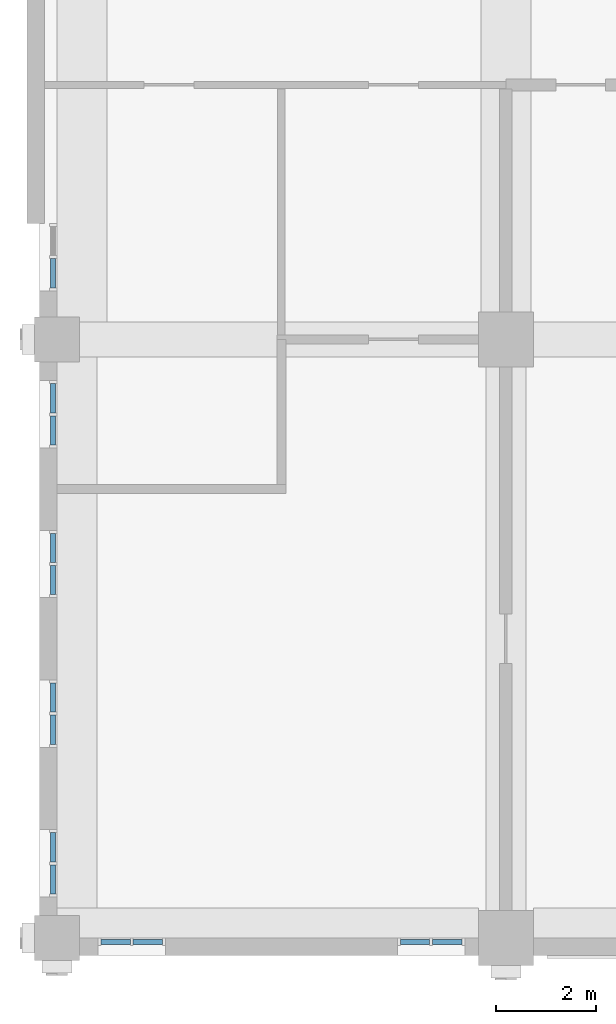
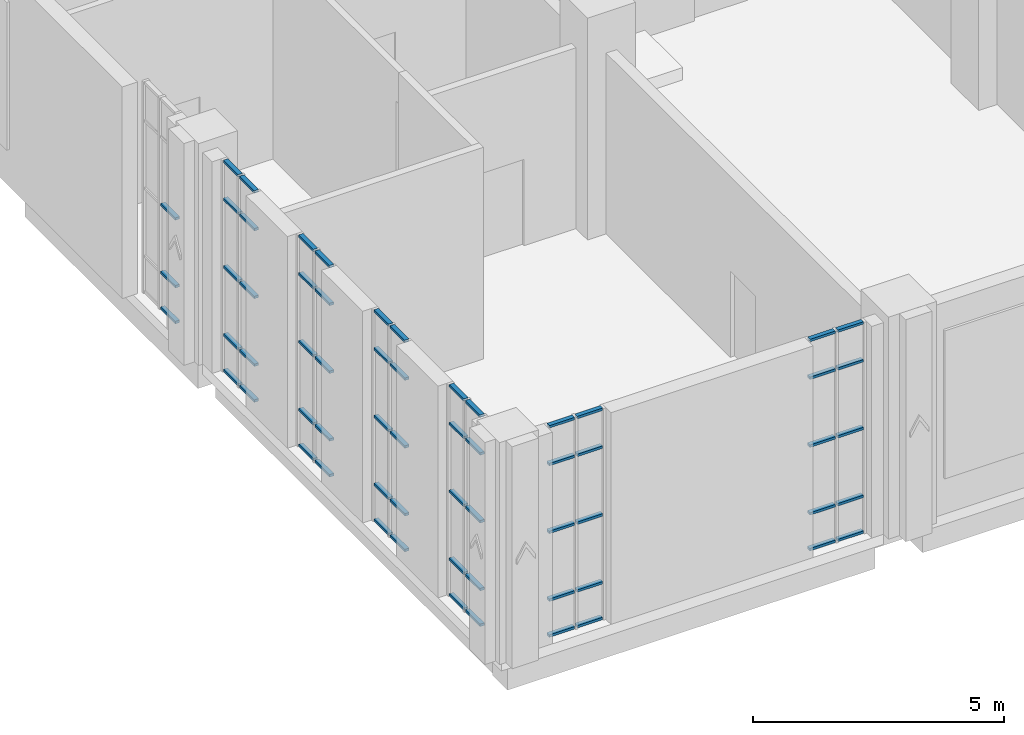
# One storey, part 13 of 39: 63 members, 7 elements without a shape of their own.
"""IFC4 building model written with IfcOpenShell, lengths in metres."""

from ifc_helpers import new_model, si_unit, direction, frame, origin, origin_2d, place, context, subcontext, project, spatial, rectangle, extrude, material, layer, layer_set, material_profile, profile_set, type_object, element, aggregate, save


model = new_model("IFC4")

# Units and contexts
model_context = context("Model", 3, precision=1e-05, world=origin(), true_north=direction((0.0, 1.0)))
body_context = subcontext(model_context, "Body", "Model", "MODEL_VIEW")
ifc_project = project(units=[si_unit("LENGTHUNIT", "METRE"), si_unit("AREAUNIT", "SQUARE_METRE"), si_unit("VOLUMEUNIT", "CUBIC_METRE"), si_unit("PLANEANGLEUNIT", "RADIAN"), si_unit("MASSUNIT", "GRAM", prefix="KILO")], contexts=[model_context])

# Site, building, storey
site_placement = place(None, origin())
site = spatial("IfcSite", under=ifc_project, at=site_placement, CompositionType="ELEMENT")
building_placement = place(site_placement, origin())
building = spatial("IfcBuilding", under=site, at=building_placement, Name="Aurelan Courthouse", CompositionType="ELEMENT")
storey_placement = place(building_placement, frame((0.0, 0.0, 28.199951171875)))
storey = spatial("IfcBuildingStorey", under=building, at=storey_placement, Name="L05", CompositionType="ELEMENT", Elevation=28.199951171875)

# Curtain wall, members
ifc_material_1 = material(Name="Bronze-finished aluminium and glass", Category="aluminium")
ifc_layer = layer(ifc_material_1, 0.14990234375)
ifc_layer_set = layer_set([ifc_layer], Name="Bronze-finished aluminium and glass")
curtain_wall_type = type_object("IfcCurtainWallType", Name="Curtain wall 1350 x 5150", PredefinedType="NOTDEFINED", material=ifc_layer_set)
curtain_wall_1_placement = place(storey_placement, origin())
curtain_wall_1 = element("IfcCurtainWall", 1, at=curtain_wall_1_placement, inside=storey, type_object=curtain_wall_type, Name="Curtain wall CW-V5-L05-S01", PredefinedType="NOTDEFINED")
ifc_material_2 = material(Name="Bronze-finished aluminium", Category="aluminium")
ifc_material_profile = material_profile(ifc_material_2, rectangle(XDim=0.10009765625, YDim=0.06005859375, at=origin_2d()), Name="Bronze transom 60 x 100")
ifc_profile_set = profile_set([ifc_material_profile], Name="Bronze-finished aluminium")
member_type = type_object("IfcMemberType", Name="Curtain wall transom 60 x 100", PredefinedType="USERDEFINED", material=ifc_profile_set)
member_1_placement = place(storey_placement, frame((0.885009765625, -0.074951171875, 0.030029296875), z_axis=(1.0, 0.0, 0.0), x_axis=(0.0, 1.0, 0.0)))
member_1 = element("IfcMember", 2, at=member_1_placement, type_object=member_type, Name="CW-V5-L05-S01 transom 1.1", ObjectType="TRANSOM", PredefinedType="USERDEFINED", context=body_context, shape_type="SweptSolid", body=[
    extrude(rectangle(XDim=0.10009765625, YDim=0.06005859375, at=origin_2d()), origin(), (0.0, 0.0, 1.0), 0.5849609375),
])
member_2_placement = place(storey_placement, frame((0.885009765625, -0.074951171875, 0.900146484375), z_axis=(1.0, 0.0, 0.0), x_axis=(0.0, 1.0, 0.0)))
member_2 = element("IfcMember", 3, at=member_2_placement, type_object=member_type, Name="CW-V5-L05-S01 transom 1.2", ObjectType="TRANSOM", PredefinedType="USERDEFINED", context=body_context, shape_type="SweptSolid", body=[
    extrude(rectangle(XDim=0.10009765625, YDim=0.06005859375, at=origin_2d()), origin(), (0.0, 0.0, 1.0), 0.5849609375),
])
member_3_placement = place(storey_placement, frame((0.885009765625, -0.074951171875, 2.550048828125), z_axis=(1.0, 0.0, 0.0), x_axis=(0.0, 1.0, 0.0)))
member_3 = element("IfcMember", 4, at=member_3_placement, type_object=member_type, Name="CW-V5-L05-S01 transom 1.3", ObjectType="TRANSOM", PredefinedType="USERDEFINED", context=body_context, shape_type="SweptSolid", body=[
    extrude(rectangle(XDim=0.10009765625, YDim=0.06005859375, at=origin_2d()), origin(), (0.0, 0.0, 1.0), 0.5849609375),
])
member_4_placement = place(storey_placement, frame((0.885009765625, -0.074951171875, 4.199951171875), z_axis=(1.0, 0.0, 0.0), x_axis=(0.0, 1.0, 0.0)))
member_4 = element("IfcMember", 5, at=member_4_placement, type_object=member_type, Name="CW-V5-L05-S01 transom 1.4", ObjectType="TRANSOM", PredefinedType="USERDEFINED", context=body_context, shape_type="SweptSolid", body=[
    extrude(rectangle(XDim=0.10009765625, YDim=0.06005859375, at=origin_2d()), origin(), (0.0, 0.0, 1.0), 0.5849609375),
])
member_5_placement = place(storey_placement, frame((0.885009765625, -0.074951171875, 5.1201171875), z_axis=(1.0, 0.0, 0.0), x_axis=(0.0, 1.0, 0.0)))
member_5 = element("IfcMember", 6, at=member_5_placement, type_object=member_type, Name="CW-V5-L05-S01 transom 1.5", ObjectType="TRANSOM", PredefinedType="USERDEFINED", context=body_context, shape_type="SweptSolid", body=[
    extrude(rectangle(XDim=0.10009765625, YDim=0.06005859375, at=origin_2d()), origin(), (0.0, 0.0, 1.0), 0.5849609375),
])
member_6_placement = place(storey_placement, frame((1.530029296875, -0.074951171875, 0.030029296875), z_axis=(1.0, 0.0, 0.0), x_axis=(0.0, 1.0, 0.0)))
member_6 = element("IfcMember", 7, at=member_6_placement, type_object=member_type, Name="CW-V5-L05-S01 transom 2.1", ObjectType="TRANSOM", PredefinedType="USERDEFINED", context=body_context, shape_type="SweptSolid", body=[
    extrude(rectangle(XDim=0.10009765625, YDim=0.06005859375, at=origin_2d()), origin(), (0.0, 0.0, 1.0), 0.5849609375),
])
member_7_placement = place(storey_placement, frame((1.530029296875, -0.074951171875, 0.900146484375), z_axis=(1.0, 0.0, 0.0), x_axis=(0.0, 1.0, 0.0)))
member_7 = element("IfcMember", 8, at=member_7_placement, type_object=member_type, Name="CW-V5-L05-S01 transom 2.2", ObjectType="TRANSOM", PredefinedType="USERDEFINED", context=body_context, shape_type="SweptSolid", body=[
    extrude(rectangle(XDim=0.10009765625, YDim=0.06005859375, at=origin_2d()), origin(), (0.0, 0.0, 1.0), 0.5849609375),
])
member_8_placement = place(storey_placement, frame((1.530029296875, -0.074951171875, 2.550048828125), z_axis=(1.0, 0.0, 0.0), x_axis=(0.0, 1.0, 0.0)))
member_8 = element("IfcMember", 9, at=member_8_placement, type_object=member_type, Name="CW-V5-L05-S01 transom 2.3", ObjectType="TRANSOM", PredefinedType="USERDEFINED", context=body_context, shape_type="SweptSolid", body=[
    extrude(rectangle(XDim=0.10009765625, YDim=0.06005859375, at=origin_2d()), origin(), (0.0, 0.0, 1.0), 0.5849609375),
])
member_9_placement = place(storey_placement, frame((1.530029296875, -0.074951171875, 4.199951171875), z_axis=(1.0, 0.0, 0.0), x_axis=(0.0, 1.0, 0.0)))
member_9 = element("IfcMember", 10, at=member_9_placement, type_object=member_type, Name="CW-V5-L05-S01 transom 2.4", ObjectType="TRANSOM", PredefinedType="USERDEFINED", context=body_context, shape_type="SweptSolid", body=[
    extrude(rectangle(XDim=0.10009765625, YDim=0.06005859375, at=origin_2d()), origin(), (0.0, 0.0, 1.0), 0.5849609375),
])
member_10_placement = place(storey_placement, frame((1.530029296875, -0.074951171875, 5.1201171875), z_axis=(1.0, 0.0, 0.0), x_axis=(0.0, 1.0, 0.0)))
member_10 = element("IfcMember", 11, at=member_10_placement, type_object=member_type, Name="CW-V5-L05-S01 transom 2.5", ObjectType="TRANSOM", PredefinedType="USERDEFINED", context=body_context, shape_type="SweptSolid", body=[
    extrude(rectangle(XDim=0.10009765625, YDim=0.06005859375, at=origin_2d()), origin(), (0.0, 0.0, 1.0), 0.5849609375),
])
aggregate(curtain_wall_1, [member_1, member_2, member_3, member_4, member_5, member_6, member_7, member_8, member_9, member_10])

curtain_wall_2_placement = place(storey_placement, origin())
curtain_wall_2 = element("IfcCurtainWall", 12, at=curtain_wall_2_placement, inside=storey, type_object=curtain_wall_type, Name="Curtain wall CW-V5-L05-S02", PredefinedType="NOTDEFINED")
member_11_placement = place(storey_placement, frame((6.885009765625, -0.074951171875, 0.030029296875), z_axis=(1.0, 0.0, 0.0), x_axis=(0.0, 1.0, 0.0)))
member_11 = element("IfcMember", 13, at=member_11_placement, type_object=member_type, Name="CW-V5-L05-S02 transom 1.1", ObjectType="TRANSOM", PredefinedType="USERDEFINED", context=body_context, shape_type="SweptSolid", body=[
    extrude(rectangle(XDim=0.10009765625, YDim=0.06005859375, at=origin_2d()), origin(), (0.0, 0.0, 1.0), 0.5849609375),
])
member_12_placement = place(storey_placement, frame((6.885009765625, -0.074951171875, 0.900146484375), z_axis=(1.0, 0.0, 0.0), x_axis=(0.0, 1.0, 0.0)))
member_12 = element("IfcMember", 14, at=member_12_placement, type_object=member_type, Name="CW-V5-L05-S02 transom 1.2", ObjectType="TRANSOM", PredefinedType="USERDEFINED", context=body_context, shape_type="SweptSolid", body=[
    extrude(rectangle(XDim=0.10009765625, YDim=0.06005859375, at=origin_2d()), origin(), (0.0, 0.0, 1.0), 0.5849609375),
])
member_13_placement = place(storey_placement, frame((6.885009765625, -0.074951171875, 2.550048828125), z_axis=(1.0, 0.0, 0.0), x_axis=(0.0, 1.0, 0.0)))
member_13 = element("IfcMember", 15, at=member_13_placement, type_object=member_type, Name="CW-V5-L05-S02 transom 1.3", ObjectType="TRANSOM", PredefinedType="USERDEFINED", context=body_context, shape_type="SweptSolid", body=[
    extrude(rectangle(XDim=0.10009765625, YDim=0.06005859375, at=origin_2d()), origin(), (0.0, 0.0, 1.0), 0.5849609375),
])
member_14_placement = place(storey_placement, frame((6.885009765625, -0.074951171875, 4.199951171875), z_axis=(1.0, 0.0, 0.0), x_axis=(0.0, 1.0, 0.0)))
member_14 = element("IfcMember", 16, at=member_14_placement, type_object=member_type, Name="CW-V5-L05-S02 transom 1.4", ObjectType="TRANSOM", PredefinedType="USERDEFINED", context=body_context, shape_type="SweptSolid", body=[
    extrude(rectangle(XDim=0.10009765625, YDim=0.06005859375, at=origin_2d()), origin(), (0.0, 0.0, 1.0), 0.5849609375),
])
member_15_placement = place(storey_placement, frame((6.885009765625, -0.074951171875, 5.1201171875), z_axis=(1.0, 0.0, 0.0), x_axis=(0.0, 1.0, 0.0)))
member_15 = element("IfcMember", 17, at=member_15_placement, type_object=member_type, Name="CW-V5-L05-S02 transom 1.5", ObjectType="TRANSOM", PredefinedType="USERDEFINED", context=body_context, shape_type="SweptSolid", body=[
    extrude(rectangle(XDim=0.10009765625, YDim=0.06005859375, at=origin_2d()), origin(), (0.0, 0.0, 1.0), 0.5849609375),
])
member_16_placement = place(storey_placement, frame((7.530029296875, -0.074951171875, 0.030029296875), z_axis=(1.0, 0.0, 0.0), x_axis=(0.0, 1.0, 0.0)))
member_16 = element("IfcMember", 18, at=member_16_placement, type_object=member_type, Name="CW-V5-L05-S02 transom 2.1", ObjectType="TRANSOM", PredefinedType="USERDEFINED", context=body_context, shape_type="SweptSolid", body=[
    extrude(rectangle(XDim=0.10009765625, YDim=0.06005859375, at=origin_2d()), origin(), (0.0, 0.0, 1.0), 0.5849609375),
])
member_17_placement = place(storey_placement, frame((7.530029296875, -0.074951171875, 0.900146484375), z_axis=(1.0, 0.0, 0.0), x_axis=(0.0, 1.0, 0.0)))
member_17 = element("IfcMember", 19, at=member_17_placement, type_object=member_type, Name="CW-V5-L05-S02 transom 2.2", ObjectType="TRANSOM", PredefinedType="USERDEFINED", context=body_context, shape_type="SweptSolid", body=[
    extrude(rectangle(XDim=0.10009765625, YDim=0.06005859375, at=origin_2d()), origin(), (0.0, 0.0, 1.0), 0.5849609375),
])
member_18_placement = place(storey_placement, frame((7.530029296875, -0.074951171875, 2.550048828125), z_axis=(1.0, 0.0, 0.0), x_axis=(0.0, 1.0, 0.0)))
member_18 = element("IfcMember", 20, at=member_18_placement, type_object=member_type, Name="CW-V5-L05-S02 transom 2.3", ObjectType="TRANSOM", PredefinedType="USERDEFINED", context=body_context, shape_type="SweptSolid", body=[
    extrude(rectangle(XDim=0.10009765625, YDim=0.06005859375, at=origin_2d()), origin(), (0.0, 0.0, 1.0), 0.5849609375),
])
member_19_placement = place(storey_placement, frame((7.530029296875, -0.074951171875, 4.199951171875), z_axis=(1.0, 0.0, 0.0), x_axis=(0.0, 1.0, 0.0)))
member_19 = element("IfcMember", 21, at=member_19_placement, type_object=member_type, Name="CW-V5-L05-S02 transom 2.4", ObjectType="TRANSOM", PredefinedType="USERDEFINED", context=body_context, shape_type="SweptSolid", body=[
    extrude(rectangle(XDim=0.10009765625, YDim=0.06005859375, at=origin_2d()), origin(), (0.0, 0.0, 1.0), 0.5849609375),
])
member_20_placement = place(storey_placement, frame((7.530029296875, -0.074951171875, 5.1201171875), z_axis=(1.0, 0.0, 0.0), x_axis=(0.0, 1.0, 0.0)))
member_20 = element("IfcMember", 22, at=member_20_placement, type_object=member_type, Name="CW-V5-L05-S02 transom 2.5", ObjectType="TRANSOM", PredefinedType="USERDEFINED", context=body_context, shape_type="SweptSolid", body=[
    extrude(rectangle(XDim=0.10009765625, YDim=0.06005859375, at=origin_2d()), origin(), (0.0, 0.0, 1.0), 0.5849609375),
])
aggregate(curtain_wall_2, [member_11, member_12, member_13, member_14, member_15, member_16, member_17, member_18, member_19, member_20])

curtain_wall_3_placement = place(storey_placement, origin())
curtain_wall_3 = element("IfcCurtainWall", 23, at=curtain_wall_3_placement, inside=storey, type_object=curtain_wall_type, Name="Curtain wall CW-V5-L05-W01", PredefinedType="NOTDEFINED")
member_21_placement = place(storey_placement, frame((-0.074951171875, 0.885009765625, 0.030029296875), z_axis=(0.0, 1.0, 0.0), x_axis=(-1.0, 0.0, 0.0)))
member_21 = element("IfcMember", 24, at=member_21_placement, type_object=member_type, Name="CW-V5-L05-W01 transom 1.1", ObjectType="TRANSOM", PredefinedType="USERDEFINED", context=body_context, shape_type="SweptSolid", body=[
    extrude(rectangle(XDim=0.10009765625, YDim=0.06005859375, at=origin_2d()), origin(), (0.0, 0.0, 1.0), 0.5849609375),
])
member_22_placement = place(storey_placement, frame((-0.074951171875, 0.885009765625, 0.900146484375), z_axis=(0.0, 1.0, 0.0), x_axis=(-1.0, 0.0, 0.0)))
member_22 = element("IfcMember", 25, at=member_22_placement, type_object=member_type, Name="CW-V5-L05-W01 transom 1.2", ObjectType="TRANSOM", PredefinedType="USERDEFINED", context=body_context, shape_type="SweptSolid", body=[
    extrude(rectangle(XDim=0.10009765625, YDim=0.06005859375, at=origin_2d()), origin(), (0.0, 0.0, 1.0), 0.5849609375),
])
member_23_placement = place(storey_placement, frame((-0.074951171875, 0.885009765625, 2.550048828125), z_axis=(0.0, 1.0, 0.0), x_axis=(-1.0, 0.0, 0.0)))
member_23 = element("IfcMember", 26, at=member_23_placement, type_object=member_type, Name="CW-V5-L05-W01 transom 1.3", ObjectType="TRANSOM", PredefinedType="USERDEFINED", context=body_context, shape_type="SweptSolid", body=[
    extrude(rectangle(XDim=0.10009765625, YDim=0.06005859375, at=origin_2d()), origin(), (0.0, 0.0, 1.0), 0.5849609375),
])
member_24_placement = place(storey_placement, frame((-0.074951171875, 0.885009765625, 4.199951171875), z_axis=(0.0, 1.0, 0.0), x_axis=(-1.0, 0.0, 0.0)))
member_24 = element("IfcMember", 27, at=member_24_placement, type_object=member_type, Name="CW-V5-L05-W01 transom 1.4", ObjectType="TRANSOM", PredefinedType="USERDEFINED", context=body_context, shape_type="SweptSolid", body=[
    extrude(rectangle(XDim=0.10009765625, YDim=0.06005859375, at=origin_2d()), origin(), (0.0, 0.0, 1.0), 0.5849609375),
])
member_25_placement = place(storey_placement, frame((-0.074951171875, 0.885009765625, 5.1201171875), z_axis=(0.0, 1.0, 0.0), x_axis=(-1.0, 0.0, 0.0)))
member_25 = element("IfcMember", 28, at=member_25_placement, type_object=member_type, Name="CW-V5-L05-W01 transom 1.5", ObjectType="TRANSOM", PredefinedType="USERDEFINED", context=body_context, shape_type="SweptSolid", body=[
    extrude(rectangle(XDim=0.10009765625, YDim=0.06005859375, at=origin_2d()), origin(), (0.0, 0.0, 1.0), 0.5849609375),
])
member_26_placement = place(storey_placement, frame((-0.074951171875, 1.530029296875, 0.030029296875), z_axis=(0.0, 1.0, 0.0), x_axis=(-1.0, 0.0, 0.0)))
member_26 = element("IfcMember", 29, at=member_26_placement, type_object=member_type, Name="CW-V5-L05-W01 transom 2.1", ObjectType="TRANSOM", PredefinedType="USERDEFINED", context=body_context, shape_type="SweptSolid", body=[
    extrude(rectangle(XDim=0.10009765625, YDim=0.06005859375, at=origin_2d()), origin(), (0.0, 0.0, 1.0), 0.5849609375),
])
member_27_placement = place(storey_placement, frame((-0.074951171875, 1.530029296875, 0.900146484375), z_axis=(0.0, 1.0, 0.0), x_axis=(-1.0, 0.0, 0.0)))
member_27 = element("IfcMember", 30, at=member_27_placement, type_object=member_type, Name="CW-V5-L05-W01 transom 2.2", ObjectType="TRANSOM", PredefinedType="USERDEFINED", context=body_context, shape_type="SweptSolid", body=[
    extrude(rectangle(XDim=0.10009765625, YDim=0.06005859375, at=origin_2d()), origin(), (0.0, 0.0, 1.0), 0.5849609375),
])
member_28_placement = place(storey_placement, frame((-0.074951171875, 1.530029296875, 2.550048828125), z_axis=(0.0, 1.0, 0.0), x_axis=(-1.0, 0.0, 0.0)))
member_28 = element("IfcMember", 31, at=member_28_placement, type_object=member_type, Name="CW-V5-L05-W01 transom 2.3", ObjectType="TRANSOM", PredefinedType="USERDEFINED", context=body_context, shape_type="SweptSolid", body=[
    extrude(rectangle(XDim=0.10009765625, YDim=0.06005859375, at=origin_2d()), origin(), (0.0, 0.0, 1.0), 0.5849609375),
])
member_29_placement = place(storey_placement, frame((-0.074951171875, 1.530029296875, 4.199951171875), z_axis=(0.0, 1.0, 0.0), x_axis=(-1.0, 0.0, 0.0)))
member_29 = element("IfcMember", 32, at=member_29_placement, type_object=member_type, Name="CW-V5-L05-W01 transom 2.4", ObjectType="TRANSOM", PredefinedType="USERDEFINED", context=body_context, shape_type="SweptSolid", body=[
    extrude(rectangle(XDim=0.10009765625, YDim=0.06005859375, at=origin_2d()), origin(), (0.0, 0.0, 1.0), 0.5849609375),
])
member_30_placement = place(storey_placement, frame((-0.074951171875, 1.530029296875, 5.1201171875), z_axis=(0.0, 1.0, 0.0), x_axis=(-1.0, 0.0, 0.0)))
member_30 = element("IfcMember", 33, at=member_30_placement, type_object=member_type, Name="CW-V5-L05-W01 transom 2.5", ObjectType="TRANSOM", PredefinedType="USERDEFINED", context=body_context, shape_type="SweptSolid", body=[
    extrude(rectangle(XDim=0.10009765625, YDim=0.06005859375, at=origin_2d()), origin(), (0.0, 0.0, 1.0), 0.5849609375),
])
aggregate(curtain_wall_3, [member_21, member_22, member_23, member_24, member_25, member_26, member_27, member_28, member_29, member_30])

curtain_wall_4_placement = place(storey_placement, origin())
curtain_wall_4 = element("IfcCurtainWall", 34, at=curtain_wall_4_placement, inside=storey, type_object=curtain_wall_type, Name="Curtain wall CW-V5-L05-W02", PredefinedType="NOTDEFINED")
member_31_placement = place(storey_placement, frame((-0.074951171875, 3.885009765625, 0.030029296875), z_axis=(0.0, 1.0, 0.0), x_axis=(-1.0, 0.0, 0.0)))
member_31 = element("IfcMember", 35, at=member_31_placement, type_object=member_type, Name="CW-V5-L05-W02 transom 1.1", ObjectType="TRANSOM", PredefinedType="USERDEFINED", context=body_context, shape_type="SweptSolid", body=[
    extrude(rectangle(XDim=0.10009765625, YDim=0.06005859375, at=origin_2d()), origin(), (0.0, 0.0, 1.0), 0.5849609375),
])
member_32_placement = place(storey_placement, frame((-0.074951171875, 3.885009765625, 0.900146484375), z_axis=(0.0, 1.0, 0.0), x_axis=(-1.0, 0.0, 0.0)))
member_32 = element("IfcMember", 36, at=member_32_placement, type_object=member_type, Name="CW-V5-L05-W02 transom 1.2", ObjectType="TRANSOM", PredefinedType="USERDEFINED", context=body_context, shape_type="SweptSolid", body=[
    extrude(rectangle(XDim=0.10009765625, YDim=0.06005859375, at=origin_2d()), origin(), (0.0, 0.0, 1.0), 0.5849609375),
])
member_33_placement = place(storey_placement, frame((-0.074951171875, 3.885009765625, 2.550048828125), z_axis=(0.0, 1.0, 0.0), x_axis=(-1.0, 0.0, 0.0)))
member_33 = element("IfcMember", 37, at=member_33_placement, type_object=member_type, Name="CW-V5-L05-W02 transom 1.3", ObjectType="TRANSOM", PredefinedType="USERDEFINED", context=body_context, shape_type="SweptSolid", body=[
    extrude(rectangle(XDim=0.10009765625, YDim=0.06005859375, at=origin_2d()), origin(), (0.0, 0.0, 1.0), 0.5849609375),
])
member_34_placement = place(storey_placement, frame((-0.074951171875, 3.885009765625, 4.199951171875), z_axis=(0.0, 1.0, 0.0), x_axis=(-1.0, 0.0, 0.0)))
member_34 = element("IfcMember", 38, at=member_34_placement, type_object=member_type, Name="CW-V5-L05-W02 transom 1.4", ObjectType="TRANSOM", PredefinedType="USERDEFINED", context=body_context, shape_type="SweptSolid", body=[
    extrude(rectangle(XDim=0.10009765625, YDim=0.06005859375, at=origin_2d()), origin(), (0.0, 0.0, 1.0), 0.5849609375),
])
member_35_placement = place(storey_placement, frame((-0.074951171875, 3.885009765625, 5.1201171875), z_axis=(0.0, 1.0, 0.0), x_axis=(-1.0, 0.0, 0.0)))
member_35 = element("IfcMember", 39, at=member_35_placement, type_object=member_type, Name="CW-V5-L05-W02 transom 1.5", ObjectType="TRANSOM", PredefinedType="USERDEFINED", context=body_context, shape_type="SweptSolid", body=[
    extrude(rectangle(XDim=0.10009765625, YDim=0.06005859375, at=origin_2d()), origin(), (0.0, 0.0, 1.0), 0.5849609375),
])
member_36_placement = place(storey_placement, frame((-0.074951171875, 4.530029296875, 0.030029296875), z_axis=(0.0, 1.0, 0.0), x_axis=(-1.0, 0.0, 0.0)))
member_36 = element("IfcMember", 40, at=member_36_placement, type_object=member_type, Name="CW-V5-L05-W02 transom 2.1", ObjectType="TRANSOM", PredefinedType="USERDEFINED", context=body_context, shape_type="SweptSolid", body=[
    extrude(rectangle(XDim=0.10009765625, YDim=0.06005859375, at=origin_2d()), origin(), (0.0, 0.0, 1.0), 0.5849609375),
])
member_37_placement = place(storey_placement, frame((-0.074951171875, 4.530029296875, 0.900146484375), z_axis=(0.0, 1.0, 0.0), x_axis=(-1.0, 0.0, 0.0)))
member_37 = element("IfcMember", 41, at=member_37_placement, type_object=member_type, Name="CW-V5-L05-W02 transom 2.2", ObjectType="TRANSOM", PredefinedType="USERDEFINED", context=body_context, shape_type="SweptSolid", body=[
    extrude(rectangle(XDim=0.10009765625, YDim=0.06005859375, at=origin_2d()), origin(), (0.0, 0.0, 1.0), 0.5849609375),
])
member_38_placement = place(storey_placement, frame((-0.074951171875, 4.530029296875, 2.550048828125), z_axis=(0.0, 1.0, 0.0), x_axis=(-1.0, 0.0, 0.0)))
member_38 = element("IfcMember", 42, at=member_38_placement, type_object=member_type, Name="CW-V5-L05-W02 transom 2.3", ObjectType="TRANSOM", PredefinedType="USERDEFINED", context=body_context, shape_type="SweptSolid", body=[
    extrude(rectangle(XDim=0.10009765625, YDim=0.06005859375, at=origin_2d()), origin(), (0.0, 0.0, 1.0), 0.5849609375),
])
member_39_placement = place(storey_placement, frame((-0.074951171875, 4.530029296875, 4.199951171875), z_axis=(0.0, 1.0, 0.0), x_axis=(-1.0, 0.0, 0.0)))
member_39 = element("IfcMember", 43, at=member_39_placement, type_object=member_type, Name="CW-V5-L05-W02 transom 2.4", ObjectType="TRANSOM", PredefinedType="USERDEFINED", context=body_context, shape_type="SweptSolid", body=[
    extrude(rectangle(XDim=0.10009765625, YDim=0.06005859375, at=origin_2d()), origin(), (0.0, 0.0, 1.0), 0.5849609375),
])
member_40_placement = place(storey_placement, frame((-0.074951171875, 4.530029296875, 5.1201171875), z_axis=(0.0, 1.0, 0.0), x_axis=(-1.0, 0.0, 0.0)))
member_40 = element("IfcMember", 44, at=member_40_placement, type_object=member_type, Name="CW-V5-L05-W02 transom 2.5", ObjectType="TRANSOM", PredefinedType="USERDEFINED", context=body_context, shape_type="SweptSolid", body=[
    extrude(rectangle(XDim=0.10009765625, YDim=0.06005859375, at=origin_2d()), origin(), (0.0, 0.0, 1.0), 0.5849609375),
])
aggregate(curtain_wall_4, [member_31, member_32, member_33, member_34, member_35, member_36, member_37, member_38, member_39, member_40])

curtain_wall_5_placement = place(storey_placement, origin())
curtain_wall_5 = element("IfcCurtainWall", 45, at=curtain_wall_5_placement, inside=storey, type_object=curtain_wall_type, Name="Curtain wall CW-V5-L05-W03", PredefinedType="NOTDEFINED")
member_41_placement = place(storey_placement, frame((-0.074951171875, 6.885009765625, 0.030029296875), z_axis=(0.0, 1.0, 0.0), x_axis=(-1.0, 0.0, 0.0)))
member_41 = element("IfcMember", 46, at=member_41_placement, type_object=member_type, Name="CW-V5-L05-W03 transom 1.1", ObjectType="TRANSOM", PredefinedType="USERDEFINED", context=body_context, shape_type="SweptSolid", body=[
    extrude(rectangle(XDim=0.10009765625, YDim=0.06005859375, at=origin_2d()), origin(), (0.0, 0.0, 1.0), 0.5849609375),
])
member_42_placement = place(storey_placement, frame((-0.074951171875, 6.885009765625, 0.900146484375), z_axis=(0.0, 1.0, 0.0), x_axis=(-1.0, 0.0, 0.0)))
member_42 = element("IfcMember", 47, at=member_42_placement, type_object=member_type, Name="CW-V5-L05-W03 transom 1.2", ObjectType="TRANSOM", PredefinedType="USERDEFINED", context=body_context, shape_type="SweptSolid", body=[
    extrude(rectangle(XDim=0.10009765625, YDim=0.06005859375, at=origin_2d()), origin(), (0.0, 0.0, 1.0), 0.5849609375),
])
member_43_placement = place(storey_placement, frame((-0.074951171875, 6.885009765625, 2.550048828125), z_axis=(0.0, 1.0, 0.0), x_axis=(-1.0, 0.0, 0.0)))
member_43 = element("IfcMember", 48, at=member_43_placement, type_object=member_type, Name="CW-V5-L05-W03 transom 1.3", ObjectType="TRANSOM", PredefinedType="USERDEFINED", context=body_context, shape_type="SweptSolid", body=[
    extrude(rectangle(XDim=0.10009765625, YDim=0.06005859375, at=origin_2d()), origin(), (0.0, 0.0, 1.0), 0.5849609375),
])
member_44_placement = place(storey_placement, frame((-0.074951171875, 6.885009765625, 4.199951171875), z_axis=(0.0, 1.0, 0.0), x_axis=(-1.0, 0.0, 0.0)))
member_44 = element("IfcMember", 49, at=member_44_placement, type_object=member_type, Name="CW-V5-L05-W03 transom 1.4", ObjectType="TRANSOM", PredefinedType="USERDEFINED", context=body_context, shape_type="SweptSolid", body=[
    extrude(rectangle(XDim=0.10009765625, YDim=0.06005859375, at=origin_2d()), origin(), (0.0, 0.0, 1.0), 0.5849609375),
])
member_45_placement = place(storey_placement, frame((-0.074951171875, 6.885009765625, 5.1201171875), z_axis=(0.0, 1.0, 0.0), x_axis=(-1.0, 0.0, 0.0)))
member_45 = element("IfcMember", 50, at=member_45_placement, type_object=member_type, Name="CW-V5-L05-W03 transom 1.5", ObjectType="TRANSOM", PredefinedType="USERDEFINED", context=body_context, shape_type="SweptSolid", body=[
    extrude(rectangle(XDim=0.10009765625, YDim=0.06005859375, at=origin_2d()), origin(), (0.0, 0.0, 1.0), 0.5849609375),
])
member_46_placement = place(storey_placement, frame((-0.074951171875, 7.530029296875, 0.030029296875), z_axis=(0.0, 1.0, 0.0), x_axis=(-1.0, 0.0, 0.0)))
member_46 = element("IfcMember", 51, at=member_46_placement, type_object=member_type, Name="CW-V5-L05-W03 transom 2.1", ObjectType="TRANSOM", PredefinedType="USERDEFINED", context=body_context, shape_type="SweptSolid", body=[
    extrude(rectangle(XDim=0.10009765625, YDim=0.06005859375, at=origin_2d()), origin(), (0.0, 0.0, 1.0), 0.5849609375),
])
member_47_placement = place(storey_placement, frame((-0.074951171875, 7.530029296875, 0.900146484375), z_axis=(0.0, 1.0, 0.0), x_axis=(-1.0, 0.0, 0.0)))
member_47 = element("IfcMember", 52, at=member_47_placement, type_object=member_type, Name="CW-V5-L05-W03 transom 2.2", ObjectType="TRANSOM", PredefinedType="USERDEFINED", context=body_context, shape_type="SweptSolid", body=[
    extrude(rectangle(XDim=0.10009765625, YDim=0.06005859375, at=origin_2d()), origin(), (0.0, 0.0, 1.0), 0.5849609375),
])
member_48_placement = place(storey_placement, frame((-0.074951171875, 7.530029296875, 2.550048828125), z_axis=(0.0, 1.0, 0.0), x_axis=(-1.0, 0.0, 0.0)))
member_48 = element("IfcMember", 53, at=member_48_placement, type_object=member_type, Name="CW-V5-L05-W03 transom 2.3", ObjectType="TRANSOM", PredefinedType="USERDEFINED", context=body_context, shape_type="SweptSolid", body=[
    extrude(rectangle(XDim=0.10009765625, YDim=0.06005859375, at=origin_2d()), origin(), (0.0, 0.0, 1.0), 0.5849609375),
])
member_49_placement = place(storey_placement, frame((-0.074951171875, 7.530029296875, 4.199951171875), z_axis=(0.0, 1.0, 0.0), x_axis=(-1.0, 0.0, 0.0)))
member_49 = element("IfcMember", 54, at=member_49_placement, type_object=member_type, Name="CW-V5-L05-W03 transom 2.4", ObjectType="TRANSOM", PredefinedType="USERDEFINED", context=body_context, shape_type="SweptSolid", body=[
    extrude(rectangle(XDim=0.10009765625, YDim=0.06005859375, at=origin_2d()), origin(), (0.0, 0.0, 1.0), 0.5849609375),
])
member_50_placement = place(storey_placement, frame((-0.074951171875, 7.530029296875, 5.1201171875), z_axis=(0.0, 1.0, 0.0), x_axis=(-1.0, 0.0, 0.0)))
member_50 = element("IfcMember", 55, at=member_50_placement, type_object=member_type, Name="CW-V5-L05-W03 transom 2.5", ObjectType="TRANSOM", PredefinedType="USERDEFINED", context=body_context, shape_type="SweptSolid", body=[
    extrude(rectangle(XDim=0.10009765625, YDim=0.06005859375, at=origin_2d()), origin(), (0.0, 0.0, 1.0), 0.5849609375),
])
aggregate(curtain_wall_5, [member_41, member_42, member_43, member_44, member_45, member_46, member_47, member_48, member_49, member_50])

curtain_wall_6_placement = place(storey_placement, origin())
curtain_wall_6 = element("IfcCurtainWall", 56, at=curtain_wall_6_placement, inside=storey, type_object=curtain_wall_type, Name="Curtain wall CW-V5-L05-W04", PredefinedType="NOTDEFINED")
member_51_placement = place(storey_placement, frame((-0.074951171875, 9.885009765625, 0.030029296875), z_axis=(0.0, 1.0, 0.0), x_axis=(-1.0, 0.0, 0.0)))
member_51 = element("IfcMember", 57, at=member_51_placement, type_object=member_type, Name="CW-V5-L05-W04 transom 1.1", ObjectType="TRANSOM", PredefinedType="USERDEFINED", context=body_context, shape_type="SweptSolid", body=[
    extrude(rectangle(XDim=0.10009765625, YDim=0.06005859375, at=origin_2d()), origin(), (0.0, 0.0, 1.0), 0.5849609375),
])
member_52_placement = place(storey_placement, frame((-0.074951171875, 9.885009765625, 0.900146484375), z_axis=(0.0, 1.0, 0.0), x_axis=(-1.0, 0.0, 0.0)))
member_52 = element("IfcMember", 58, at=member_52_placement, type_object=member_type, Name="CW-V5-L05-W04 transom 1.2", ObjectType="TRANSOM", PredefinedType="USERDEFINED", context=body_context, shape_type="SweptSolid", body=[
    extrude(rectangle(XDim=0.10009765625, YDim=0.06005859375, at=origin_2d()), origin(), (0.0, 0.0, 1.0), 0.5849609375),
])
member_53_placement = place(storey_placement, frame((-0.074951171875, 9.885009765625, 2.550048828125), z_axis=(0.0, 1.0, 0.0), x_axis=(-1.0, 0.0, 0.0)))
member_53 = element("IfcMember", 59, at=member_53_placement, type_object=member_type, Name="CW-V5-L05-W04 transom 1.3", ObjectType="TRANSOM", PredefinedType="USERDEFINED", context=body_context, shape_type="SweptSolid", body=[
    extrude(rectangle(XDim=0.10009765625, YDim=0.06005859375, at=origin_2d()), origin(), (0.0, 0.0, 1.0), 0.5849609375),
])
member_54_placement = place(storey_placement, frame((-0.074951171875, 9.885009765625, 4.199951171875), z_axis=(0.0, 1.0, 0.0), x_axis=(-1.0, 0.0, 0.0)))
member_54 = element("IfcMember", 60, at=member_54_placement, type_object=member_type, Name="CW-V5-L05-W04 transom 1.4", ObjectType="TRANSOM", PredefinedType="USERDEFINED", context=body_context, shape_type="SweptSolid", body=[
    extrude(rectangle(XDim=0.10009765625, YDim=0.06005859375, at=origin_2d()), origin(), (0.0, 0.0, 1.0), 0.5849609375),
])
member_55_placement = place(storey_placement, frame((-0.074951171875, 9.885009765625, 5.1201171875), z_axis=(0.0, 1.0, 0.0), x_axis=(-1.0, 0.0, 0.0)))
member_55 = element("IfcMember", 61, at=member_55_placement, type_object=member_type, Name="CW-V5-L05-W04 transom 1.5", ObjectType="TRANSOM", PredefinedType="USERDEFINED", context=body_context, shape_type="SweptSolid", body=[
    extrude(rectangle(XDim=0.10009765625, YDim=0.06005859375, at=origin_2d()), origin(), (0.0, 0.0, 1.0), 0.5849609375),
])
member_56_placement = place(storey_placement, frame((-0.074951171875, 10.530029296875, 0.030029296875), z_axis=(0.0, 1.0, 0.0), x_axis=(-1.0, 0.0, 0.0)))
member_56 = element("IfcMember", 62, at=member_56_placement, type_object=member_type, Name="CW-V5-L05-W04 transom 2.1", ObjectType="TRANSOM", PredefinedType="USERDEFINED", context=body_context, shape_type="SweptSolid", body=[
    extrude(rectangle(XDim=0.10009765625, YDim=0.06005859375, at=origin_2d()), origin(), (0.0, 0.0, 1.0), 0.5849609375),
])
member_57_placement = place(storey_placement, frame((-0.074951171875, 10.530029296875, 0.900146484375), z_axis=(0.0, 1.0, 0.0), x_axis=(-1.0, 0.0, 0.0)))
member_57 = element("IfcMember", 63, at=member_57_placement, type_object=member_type, Name="CW-V5-L05-W04 transom 2.2", ObjectType="TRANSOM", PredefinedType="USERDEFINED", context=body_context, shape_type="SweptSolid", body=[
    extrude(rectangle(XDim=0.10009765625, YDim=0.06005859375, at=origin_2d()), origin(), (0.0, 0.0, 1.0), 0.5849609375),
])
member_58_placement = place(storey_placement, frame((-0.074951171875, 10.530029296875, 2.550048828125), z_axis=(0.0, 1.0, 0.0), x_axis=(-1.0, 0.0, 0.0)))
member_58 = element("IfcMember", 64, at=member_58_placement, type_object=member_type, Name="CW-V5-L05-W04 transom 2.3", ObjectType="TRANSOM", PredefinedType="USERDEFINED", context=body_context, shape_type="SweptSolid", body=[
    extrude(rectangle(XDim=0.10009765625, YDim=0.06005859375, at=origin_2d()), origin(), (0.0, 0.0, 1.0), 0.5849609375),
])
member_59_placement = place(storey_placement, frame((-0.074951171875, 10.530029296875, 4.199951171875), z_axis=(0.0, 1.0, 0.0), x_axis=(-1.0, 0.0, 0.0)))
member_59 = element("IfcMember", 65, at=member_59_placement, type_object=member_type, Name="CW-V5-L05-W04 transom 2.4", ObjectType="TRANSOM", PredefinedType="USERDEFINED", context=body_context, shape_type="SweptSolid", body=[
    extrude(rectangle(XDim=0.10009765625, YDim=0.06005859375, at=origin_2d()), origin(), (0.0, 0.0, 1.0), 0.5849609375),
])
member_60_placement = place(storey_placement, frame((-0.074951171875, 10.530029296875, 5.1201171875), z_axis=(0.0, 1.0, 0.0), x_axis=(-1.0, 0.0, 0.0)))
member_60 = element("IfcMember", 66, at=member_60_placement, type_object=member_type, Name="CW-V5-L05-W04 transom 2.5", ObjectType="TRANSOM", PredefinedType="USERDEFINED", context=body_context, shape_type="SweptSolid", body=[
    extrude(rectangle(XDim=0.10009765625, YDim=0.06005859375, at=origin_2d()), origin(), (0.0, 0.0, 1.0), 0.5849609375),
])
aggregate(curtain_wall_6, [member_51, member_52, member_53, member_54, member_55, member_56, member_57, member_58, member_59, member_60])

curtain_wall_7_placement = place(storey_placement, origin())
curtain_wall_7 = element("IfcCurtainWall", 67, at=curtain_wall_7_placement, inside=storey, type_object=curtain_wall_type, Name="Curtain wall CW-V5-L05-W05", PredefinedType="NOTDEFINED")
member_61_placement = place(storey_placement, frame((-0.074951171875, 13.034912109375, 0.030029296875), z_axis=(0.0, 1.0, 0.0), x_axis=(-1.0, 0.0, 0.0)))
member_61 = element("IfcMember", 68, at=member_61_placement, type_object=member_type, Name="CW-V5-L05-W05 transom 1.1", ObjectType="TRANSOM", PredefinedType="USERDEFINED", context=body_context, shape_type="SweptSolid", body=[
    extrude(rectangle(XDim=0.10009765625, YDim=0.06005859375, at=origin_2d()), origin(), (0.0, 0.0, 1.0), 0.585205078125),
])
member_62_placement = place(storey_placement, frame((-0.074951171875, 13.034912109375, 0.900146484375), z_axis=(0.0, 1.0, 0.0), x_axis=(-1.0, 0.0, 0.0)))
member_62 = element("IfcMember", 69, at=member_62_placement, type_object=member_type, Name="CW-V5-L05-W05 transom 1.2", ObjectType="TRANSOM", PredefinedType="USERDEFINED", context=body_context, shape_type="SweptSolid", body=[
    extrude(rectangle(XDim=0.10009765625, YDim=0.06005859375, at=origin_2d()), origin(), (0.0, 0.0, 1.0), 0.585205078125),
])
member_63_placement = place(storey_placement, frame((-0.074951171875, 13.034912109375, 2.550048828125), z_axis=(0.0, 1.0, 0.0), x_axis=(-1.0, 0.0, 0.0)))
member_63 = element("IfcMember", 70, at=member_63_placement, type_object=member_type, Name="CW-V5-L05-W05 transom 1.3", ObjectType="TRANSOM", PredefinedType="USERDEFINED", context=body_context, shape_type="SweptSolid", body=[
    extrude(rectangle(XDim=0.10009765625, YDim=0.06005859375, at=origin_2d()), origin(), (0.0, 0.0, 1.0), 0.585205078125),
])
aggregate(curtain_wall_7, [member_61, member_62, member_63])

save(model, "model.ifc")
